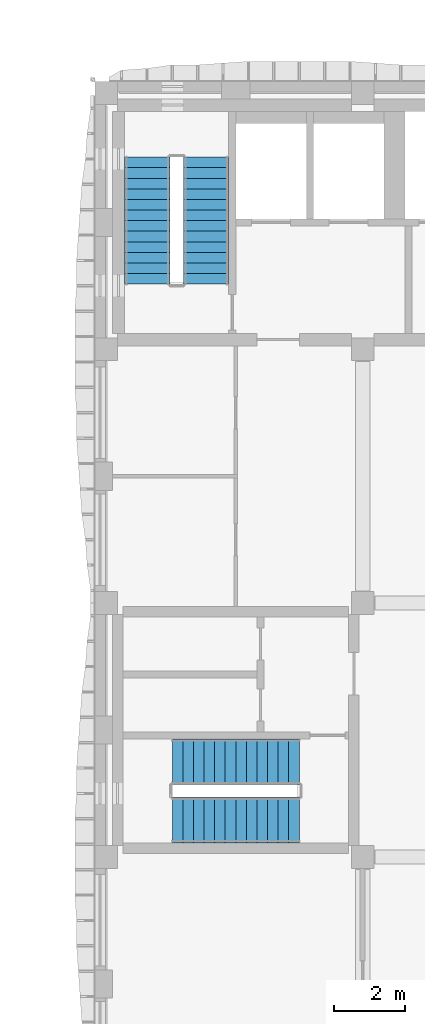
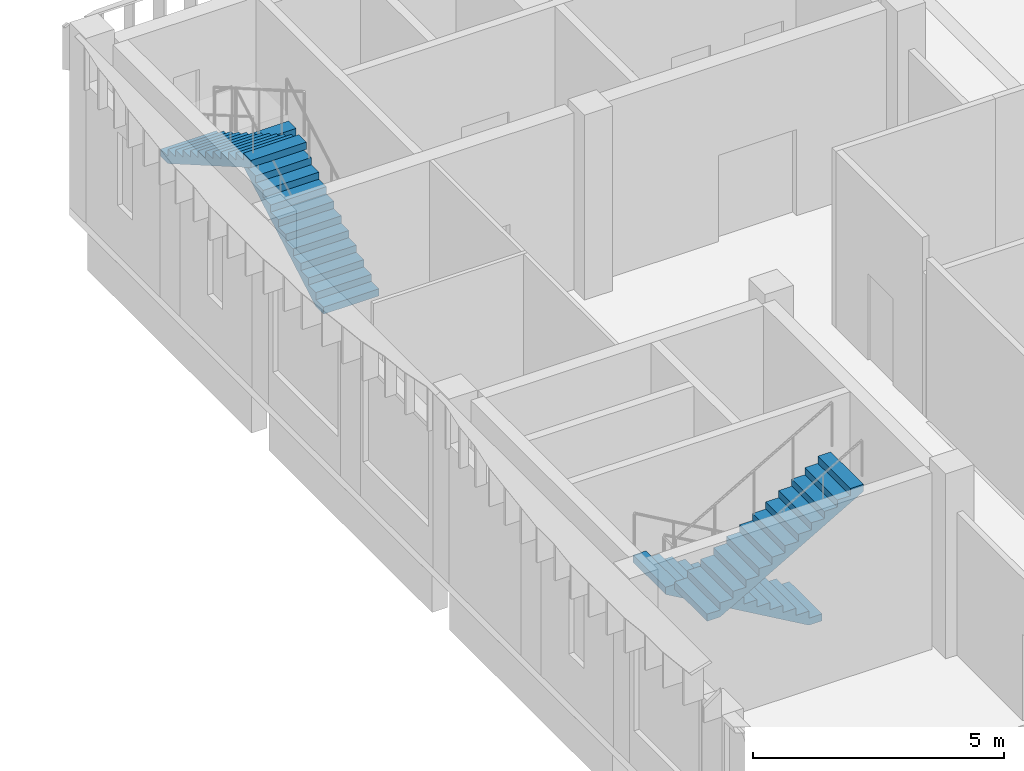
# One storey, part 22 of 30: 4 stair flights, 2 elements without a shape of their own.
"""IFC4 building model written with IfcOpenShell, lengths in metres."""

from ifc_helpers import new_model, si_unit, direction, frame, origin, place, context, subcontext, project, spatial, polyline, outline, extrude, material, type_object, element, aggregate, save


model = new_model("IFC4")

# Units and contexts
model_context = context("Model", 3, precision=1e-05, world=origin(), true_north=direction((0.0, 1.0)))
body_context = subcontext(model_context, "Body", "Model", "MODEL_VIEW")
ifc_project = project(units=[si_unit("LENGTHUNIT", "METRE"), si_unit("AREAUNIT", "SQUARE_METRE"), si_unit("VOLUMEUNIT", "CUBIC_METRE"), si_unit("PLANEANGLEUNIT", "RADIAN"), si_unit("MASSUNIT", "GRAM", prefix="KILO")], contexts=[model_context])

# Site, building, storey
site_placement = place(None, origin())
site = spatial("IfcSite", under=ifc_project, at=site_placement, CompositionType="ELEMENT")
building_placement = place(site_placement, origin())
building = spatial("IfcBuilding", under=site, at=building_placement, Name="Ussher Court Research Institute", CompositionType="ELEMENT")
storey_placement = place(building_placement, frame((0.0, 0.0, 27.89990234375)))
storey = spatial("IfcBuildingStorey", under=building, at=storey_placement, Name="L06", CompositionType="ELEMENT", Elevation=27.89990234375)

# Stair, stair flights
ifc_material_1 = material(Name="Concrete C35/45", Category="concrete")
stair_type_1 = type_object("IfcStairType", Name="Core stair 26 risers 173 mm x 300 going 1280 wide", PredefinedType="HALF_TURN_STAIR", material=ifc_material_1)
stair_1_placement = place(storey_placement, origin())
stair_1 = element("IfcStair", 1, at=stair_1_placement, inside=storey, type_object=stair_type_1, Name="L06 Stair T1", PredefinedType="HALF_TURN_STAIR")
ifc_material_2 = material(Name="Concrete C35/45", Category="concrete")
stair_flight_type_1 = type_object("IfcStairFlightType", Name="Stair flight 13 risers 1280 RC", PredefinedType="STRAIGHT", material=ifc_material_2)
stair_flight_1_placement = place(storey_placement, frame((84.9599609375, 27.449951171875, 0.0), z_axis=(0.0, 0.0, 1.0), x_axis=(0.0, 1.0, 0.0)))
stair_flight_1 = element("IfcStairFlight", 2, at=stair_flight_1_placement, type_object=stair_flight_type_1, Name="T1 flight 1", NumberOfRisers=13, NumberOfTreads=12, PredefinedType="STRAIGHT", RiserHeight=0.173076923, TreadLength=0.3, context=body_context, shape_type="SweptSolid", body=[
    extrude(outline(polyline([(0.0, 0.0), (0.0, 0.173095703125), (0.300048828125, 0.173095703125), (0.300048828125, 0.34619140625), (0.60009765625, 0.34619140625), (0.60009765625, 0.519287109375), (0.89990234375, 0.519287109375), (0.89990234375, 0.6923828125), (1.199951171875, 0.6923828125), (1.199951171875, 0.865478515625), (1.5, 0.865478515625), (1.5, 1.03857421875), (1.800048828125, 1.03857421875), (1.800048828125, 1.21142578125), (2.10009765625, 1.21142578125), (2.10009765625, 1.384521484375), (2.39990234375, 1.384521484375), (2.39990234375, 1.5576171875), (2.699951171875, 1.5576171875), (2.699951171875, 1.730712890625), (3.0, 1.730712890625), (3.0, 1.90380859375), (3.300048828125, 1.90380859375), (3.300048828125, 2.076904296875), (3.60009765625, 2.076904296875), (3.60009765625, 2.25), (3.60009765625, 1.90380859375), (0.300048828125, 0.0), (0.0, 0.0)])), frame((0.0, 0.64013671875, 0.0), z_axis=(0.0, -1.0, 0.0), x_axis=(1.0, 0.0, 0.0)), (0.0, 0.0, 1.0), 1.280029296875),
])
stair_flight_2_placement = place(storey_placement, frame((83.2900390625, 31.050048828125, 2.25), z_axis=(0.0, 0.0, 1.0), x_axis=(0.0, -1.0, 0.0)))
stair_flight_2 = element("IfcStairFlight", 3, at=stair_flight_2_placement, type_object=stair_flight_type_1, Name="T1 flight 2", NumberOfRisers=13, NumberOfTreads=12, PredefinedType="STRAIGHT", RiserHeight=0.173076923, TreadLength=0.3, context=body_context, shape_type="SweptSolid", body=[
    extrude(outline(polyline([(0.0, 0.0), (0.0, 0.173095703125), (0.300048828125, 0.173095703125), (0.300048828125, 0.34619140625), (0.60009765625, 0.34619140625), (0.60009765625, 0.519287109375), (0.89990234375, 0.519287109375), (0.89990234375, 0.6923828125), (1.199951171875, 0.6923828125), (1.199951171875, 0.865478515625), (1.5, 0.865478515625), (1.5, 1.03857421875), (1.800048828125, 1.03857421875), (1.800048828125, 1.21142578125), (2.10009765625, 1.21142578125), (2.10009765625, 1.384521484375), (2.39990234375, 1.384521484375), (2.39990234375, 1.5576171875), (2.699951171875, 1.5576171875), (2.699951171875, 1.730712890625), (3.0, 1.730712890625), (3.0, 1.90380859375), (3.300048828125, 1.90380859375), (3.300048828125, 2.076904296875), (3.60009765625, 2.076904296875), (3.60009765625, 2.25), (3.60009765625, 1.90380859375), (0.300048828125, 0.0), (0.0, 0.0)])), frame((0.0, 0.64013671875, 0.0), z_axis=(0.0, -1.0, 0.0), x_axis=(1.0, 0.0, 0.0)), (0.0, 0.0, 1.0), 1.280029296875),
])
aggregate(stair_1, [stair_flight_1, stair_flight_2])

ifc_material_3 = material(Name="Concrete C35/45", Category="concrete")
stair_type_2 = type_object("IfcStairType", Name="Core stair 26 risers 173 mm x 300 going 1300 wide", PredefinedType="HALF_TURN_STAIR", material=ifc_material_3)
stair_2_placement = place(storey_placement, origin())
stair_2 = element("IfcStair", 4, at=stair_2_placement, inside=storey, type_object=stair_type_2, Name="L06 Stair T2", PredefinedType="HALF_TURN_STAIR")
ifc_material_4 = material(Name="Concrete C35/45", Category="concrete")
stair_flight_type_2 = type_object("IfcStairFlightType", Name="Stair flight 13 risers 1300 RC", PredefinedType="STRAIGHT", material=ifc_material_4)
stair_flight_3_placement = place(storey_placement, frame((87.60009765625, 13.89990234375, 0.0), z_axis=(0.0, 0.0, 1.0), x_axis=(-1.0, 0.0, 0.0)))
stair_flight_3 = element("IfcStairFlight", 5, at=stair_flight_3_placement, type_object=stair_flight_type_2, Name="T2 flight 1", NumberOfRisers=13, NumberOfTreads=12, PredefinedType="STRAIGHT", RiserHeight=0.173076923, TreadLength=0.3, context=body_context, shape_type="SweptSolid", body=[
    extrude(outline(polyline([(0.0, 0.0), (0.0, 0.173095703125), (0.300048828125, 0.173095703125), (0.300048828125, 0.34619140625), (0.60009765625, 0.34619140625), (0.60009765625, 0.519287109375), (0.89990234375, 0.519287109375), (0.89990234375, 0.6923828125), (1.199951171875, 0.6923828125), (1.199951171875, 0.865478515625), (1.5, 0.865478515625), (1.5, 1.03857421875), (1.800048828125, 1.03857421875), (1.800048828125, 1.21142578125), (2.10009765625, 1.21142578125), (2.10009765625, 1.384521484375), (2.39990234375, 1.384521484375), (2.39990234375, 1.5576171875), (2.699951171875, 1.5576171875), (2.699951171875, 1.730712890625), (3.0, 1.730712890625), (3.0, 1.90380859375), (3.300048828125, 1.90380859375), (3.300048828125, 2.076904296875), (3.60009765625, 2.076904296875), (3.60009765625, 2.25), (3.60009765625, 1.90380859375), (0.300048828125, 0.0), (0.0, 0.0)])), frame((0.0, 0.64990234375, 0.0), z_axis=(0.0, -1.0, 0.0), x_axis=(1.0, 0.0, 0.0)), (0.0, 0.0, 1.0), 1.300048828125),
])
stair_flight_4_placement = place(storey_placement, frame((84.0, 12.25, 2.25), z_axis=(0.0, 0.0, 1.0), x_axis=(1.0, 0.0, 0.0)))
stair_flight_4 = element("IfcStairFlight", 6, at=stair_flight_4_placement, type_object=stair_flight_type_2, Name="T2 flight 2", NumberOfRisers=13, NumberOfTreads=12, PredefinedType="STRAIGHT", RiserHeight=0.173076923, TreadLength=0.3, context=body_context, shape_type="SweptSolid", body=[
    extrude(outline(polyline([(0.0, 0.0), (0.0, 0.173095703125), (0.300048828125, 0.173095703125), (0.300048828125, 0.34619140625), (0.60009765625, 0.34619140625), (0.60009765625, 0.519287109375), (0.89990234375, 0.519287109375), (0.89990234375, 0.6923828125), (1.199951171875, 0.6923828125), (1.199951171875, 0.865478515625), (1.5, 0.865478515625), (1.5, 1.03857421875), (1.800048828125, 1.03857421875), (1.800048828125, 1.21142578125), (2.10009765625, 1.21142578125), (2.10009765625, 1.384521484375), (2.39990234375, 1.384521484375), (2.39990234375, 1.5576171875), (2.699951171875, 1.5576171875), (2.699951171875, 1.730712890625), (3.0, 1.730712890625), (3.0, 1.90380859375), (3.300048828125, 1.90380859375), (3.300048828125, 2.076904296875), (3.60009765625, 2.076904296875), (3.60009765625, 2.25), (3.60009765625, 1.90380859375), (0.300048828125, 0.0), (0.0, 0.0)])), frame((0.0, 0.64990234375, 0.0), z_axis=(0.0, -1.0, 0.0), x_axis=(1.0, 0.0, 0.0)), (0.0, 0.0, 1.0), 1.300048828125),
])
aggregate(stair_2, [stair_flight_3, stair_flight_4])

save(model, "model.ifc")
